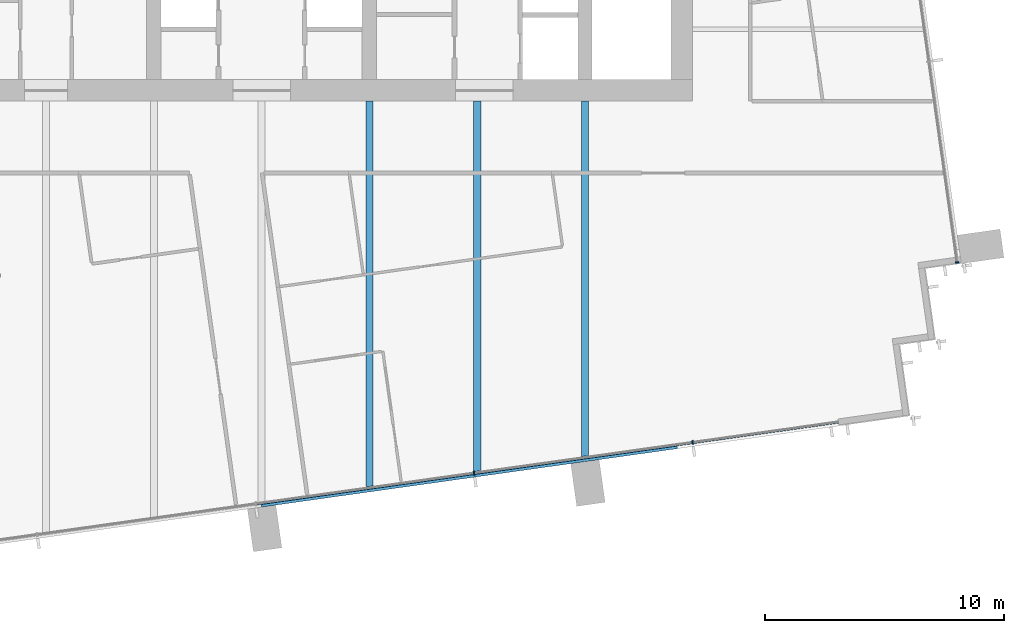
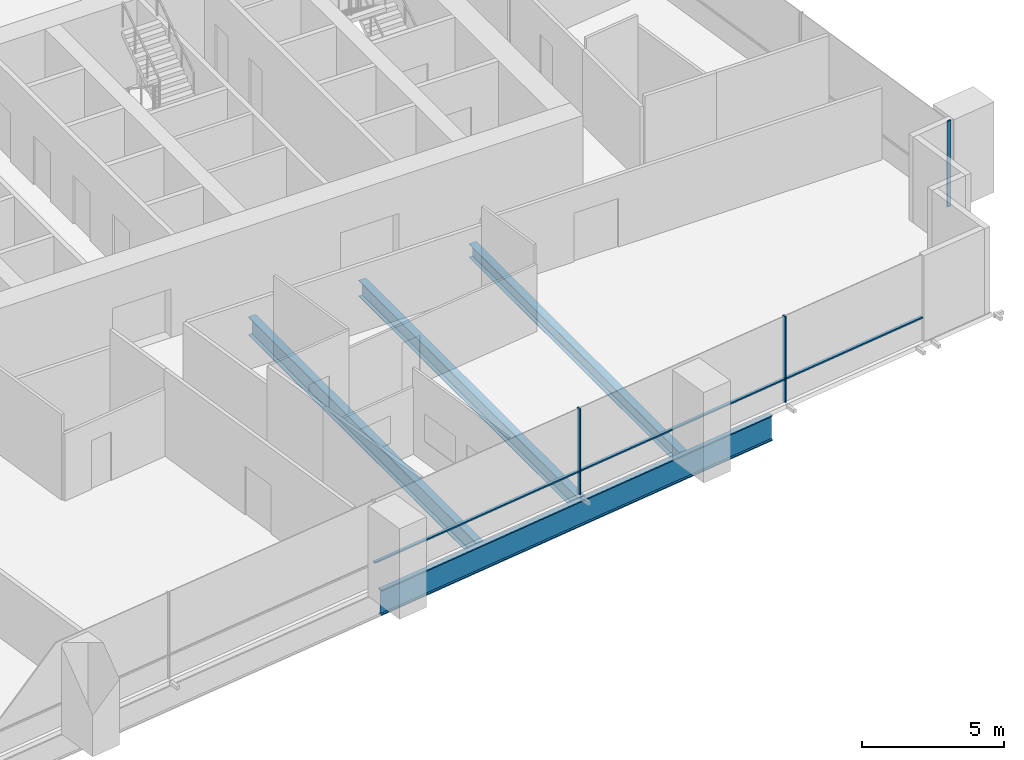
# One storey, part 4 of 14: 6 members, 4 beams, 2 elements without a shape of their own.
"""IFC4 building model written with IfcOpenShell, lengths in metres."""

from ifc_helpers import new_model, si_unit, direction, frame, origin, origin_2d, place, context, subcontext, project, spatial, rectangle, i_section, extrude, material, material_profile, profile_set, type_object, element, aggregate, save


model = new_model("IFC4")

# Units and contexts
model_context = context("Model", 3, precision=1e-05, world=origin(), true_north=direction((0.0, 1.0)))
body_context = subcontext(model_context, "Body", "Model", "MODEL_VIEW")
ifc_project = project(units=[si_unit("LENGTHUNIT", "METRE"), si_unit("AREAUNIT", "SQUARE_METRE"), si_unit("VOLUMEUNIT", "CUBIC_METRE"), si_unit("PLANEANGLEUNIT", "RADIAN"), si_unit("MASSUNIT", "GRAM", prefix="KILO")], contexts=[model_context])

# Site, building, storey
site_placement = place(None, origin())
site = spatial("IfcSite", under=ifc_project, at=site_placement, CompositionType="ELEMENT")
building_placement = place(site_placement, origin())
building = spatial("IfcBuilding", under=site, at=building_placement, Name="Rattan Terrace Tower", CompositionType="ELEMENT")
storey_placement = place(building_placement, frame((0.0, 0.0, 172.39990234375)))
storey = spatial("IfcBuildingStorey", under=building, at=storey_placement, Name="L39", CompositionType="ELEMENT", Elevation=172.39990234375)

# Curtain wall, member
ifc_material_1 = material(Name="Aluminium and glass", Category="aluminium")
curtain_wall_type = type_object("IfcCurtainWallType", Name="Facade Unitised Curtain Wall", PredefinedType="NOTDEFINED", material=ifc_material_1)
curtain_wall_1_placement = place(storey_placement, origin())
curtain_wall_1 = element("IfcCurtainWall", 1, at=curtain_wall_1_placement, inside=storey, type_object=curtain_wall_type, Name="Curtain wall L39-1", PredefinedType="NOTDEFINED")
ifc_material_2 = material(Name="Aluminium", Category="aluminium")
ifc_material_profile_1 = material_profile(ifc_material_2, rectangle(XDim=0.06005859375, YDim=0.159912109375, at=origin_2d()), Name="Aluminium 60x160")
ifc_profile_set_1 = profile_set([ifc_material_profile_1], Name="Aluminium")
member_type_1 = type_object("IfcMemberType", Name="Facade CW Mullion 60x160", PredefinedType="MULLION", material=ifc_profile_set_1)
member_1_placement = place(storey_placement, frame((29.037109375, -14.2333984375, 0.0), z_axis=(0.0, 0.0, 1.0), x_axis=(-0.139190856006, 0.99026557327, 0.0)))
member_1 = element("IfcMember", 2, at=member_1_placement, type_object=member_type_1, Name="Mullion cwl-L39-001.1", PredefinedType="MULLION", context=body_context, shape_type="SweptSolid", body=[
    extrude(rectangle(XDim=0.06005859375, YDim=0.159912109375, at=origin_2d()), origin(), (0.0, 0.0, 1.0), 3.7001953125),
])
aggregate(curtain_wall_1, [member_1])

# Curtain wall, members
curtain_wall_2_placement = place(storey_placement, origin())
curtain_wall_2 = element("IfcCurtainWall", 3, at=curtain_wall_2_placement, inside=storey, type_object=curtain_wall_type, Name="Curtain wall L39-4", PredefinedType="NOTDEFINED")
member_2_placement = place(storey_placement, frame((8.873291015625, -23.0302734375, 0.0), z_axis=(0.0, 0.0, 1.0), x_axis=(0.990269702686, 0.139161474347, 0.0)))
member_2 = element("IfcMember", 4, at=member_2_placement, type_object=member_type_1, Name="Mullion cwl-L39-004.4", PredefinedType="MULLION", context=body_context, shape_type="SweptSolid", body=[
    extrude(rectangle(XDim=0.06005859375, YDim=0.159912109375, at=origin_2d()), origin(), (0.0, 0.0, 1.0), 3.7001953125),
])
member_3_placement = place(storey_placement, frame((17.996826171875, -21.748291015625, 0.0), z_axis=(0.0, 0.0, 1.0), x_axis=(0.990269702686, 0.139161474347, 0.0)))
member_3 = element("IfcMember", 5, at=member_3_placement, type_object=member_type_1, Name="Mullion cwl-L39-004.5", PredefinedType="MULLION", context=body_context, shape_type="SweptSolid", body=[
    extrude(rectangle(XDim=0.06005859375, YDim=0.159912109375, at=origin_2d()), origin(), (0.0, 0.0, 1.0), 3.7001953125),
])
ifc_material_3 = material(Name="Aluminium", Category="aluminium")
ifc_material_profile_2 = material_profile(ifc_material_3, rectangle(XDim=0.1201171875, YDim=0.06005859375, at=origin_2d()), Name="Aluminium 120x60")
ifc_profile_set_2 = profile_set([ifc_material_profile_2], Name="Aluminium")
member_type_2 = type_object("IfcMemberType", Name="Facade CW Transom 120x60", PredefinedType="USERDEFINED", material=ifc_profile_set_2)
member_4_placement = place(storey_placement, frame((-0.22021484375, -24.308349609375, 1.0), z_axis=(0.990267035849, 0.139180450171, 0.0), x_axis=(-0.139180450171, 0.990267035849, 0.0)))
member_4 = element("IfcMember", 6, at=member_4_placement, type_object=member_type_2, Name="Transom cwl-L39-004.3", ObjectType="TRANSOM", PredefinedType="USERDEFINED", context=body_context, shape_type="SweptSolid", body=[
    extrude(rectangle(XDim=0.1201171875, YDim=0.06005859375, at=origin_2d()), origin(), (0.0, 0.0, 1.0), 9.153076171875),
])
member_5_placement = place(storey_placement, frame((8.903076171875, -23.026123046875, 1.0), z_axis=(0.990270711765, 0.139154293575, 0.0), x_axis=(-0.139154293575, 0.990270711765, 0.0)))
member_5 = element("IfcMember", 7, at=member_5_placement, type_object=member_type_2, Name="Transom cwl-L39-004.4", ObjectType="TRANSOM", PredefinedType="USERDEFINED", context=body_context, shape_type="SweptSolid", body=[
    extrude(rectangle(XDim=0.1201171875, YDim=0.06005859375, at=origin_2d()), origin(), (0.0, 0.0, 1.0), 9.153076171875),
])
member_6_placement = place(storey_placement, frame((18.0263671875, -21.744140625, 1.0), z_axis=(0.990267752185, 0.139175353357, 0.0), x_axis=(-0.139175353357, 0.990267752185, 0.0)))
member_6 = element("IfcMember", 8, at=member_6_placement, type_object=member_type_2, Name="Transom cwl-L39-004.5", ObjectType="TRANSOM", PredefinedType="USERDEFINED", context=body_context, shape_type="SweptSolid", body=[
    extrude(rectangle(XDim=0.1201171875, YDim=0.06005859375, at=origin_2d()), origin(), (0.0, 0.0, 1.0), 6.11865234375),
])
aggregate(curtain_wall_2, [member_2, member_3, member_4, member_5, member_6])

# Beams
ifc_material_4 = material(Name="Steel S460", Category="steel")
ifc_material_profile_3 = material_profile(ifc_material_4, i_section(OverallWidth=0.179931640625, OverallDepth=1.10009765625, WebThickness=0.01611328125, FlangeThickness=0.050048828125, at=origin_2d()), Name="PG 1100x180-16-50")
ifc_profile_set_3 = profile_set([ifc_material_profile_3], Name="Steel S460")
beam_type_1 = type_object("IfcBeamType", Name="Frame edge girder PG 1100x180-16-50", PredefinedType="SPANDREL", material=ifc_profile_set_3)
beam_1_placement = place(storey_placement, frame((17.347900390625, -21.9208984375, -0.75), z_axis=(-0.990273554652, -0.139134061096, 0.0), x_axis=(0.139134061096, -0.990273554652, 0.0)))
element("IfcBeam", 9, at=beam_1_placement, inside=storey, type_object=beam_type_1, Name="gdr-L39-002", PredefinedType="SPANDREL", context=body_context, shape_type="SweptSolid", body=[
    extrude(i_section(OverallWidth=0.179931640625, OverallDepth=1.10009765625, WebThickness=0.01611328125, FlangeThickness=0.050048828125, at=origin_2d()), origin(), (0.0, 0.0, 1.0), 17.53125),
])
ifc_material_5 = material(Name="Steel S355", Category="steel")
ifc_material_profile_4 = material_profile(ifc_material_5, i_section(OverallWidth=0.300048828125, OverallDepth=0.60009765625, WebThickness=0.015380859375, FlangeThickness=0.030029296875, FilletRadius=0.027099609375, at=origin_2d()), Name="HE 600 B")
ifc_profile_set_4 = profile_set([ifc_material_profile_4], Name="Steel S355")
beam_type_2 = type_object("IfcBeamType", Name="Frame floor beam HE 600 B", PredefinedType="JOIST", material=ifc_profile_set_4)
beam_2_placement = place(storey_placement, frame((13.5, -22.35009765625, -0.5), z_axis=(0.0, 1.0, 0.0), x_axis=(-1.0, 0.0, 0.0)))
element("IfcBeam", 10, at=beam_2_placement, inside=storey, type_object=beam_type_2, Name="bm-L39-009", PredefinedType="JOIST", context=body_context, shape_type="SweptSolid", body=[
    extrude(i_section(OverallWidth=0.300048828125, OverallDepth=0.60009765625, WebThickness=0.015380859375, FlangeThickness=0.030029296875, FilletRadius=0.027099609375, at=origin_2d()), origin(), (0.0, 0.0, 1.0), 14.85009765625),
])
ifc_material_6 = material(Name="Steel S355", Category="steel")
ifc_material_profile_5 = material_profile(ifc_material_6, i_section(OverallWidth=0.300048828125, OverallDepth=0.699951171875, WebThickness=0.01708984375, FlangeThickness=0.031982421875, FilletRadius=0.027099609375, at=origin_2d()), Name="HE 700 B")
ifc_profile_set_5 = profile_set([ifc_material_profile_5], Name="Steel S355")
beam_type_3 = type_object("IfcBeamType", Name="Frame floor beam HE 700 B", PredefinedType="JOIST", material=ifc_profile_set_5)
beam_3_placement = place(storey_placement, frame((9.0, -22.98193359375, -0.5498046875), z_axis=(0.0, 1.0, 0.0), x_axis=(-1.0, 0.0, 0.0)))
element("IfcBeam", 11, at=beam_3_placement, inside=storey, type_object=beam_type_3, Name="bm-L39-008", PredefinedType="JOIST", context=body_context, shape_type="SweptSolid", body=[
    extrude(i_section(OverallWidth=0.300048828125, OverallDepth=0.699951171875, WebThickness=0.01708984375, FlangeThickness=0.031982421875, FilletRadius=0.027099609375, at=origin_2d()), origin(), (0.0, 0.0, 1.0), 15.48193359375),
])
ifc_material_7 = material(Name="Steel S355", Category="steel")
ifc_material_profile_6 = material_profile(ifc_material_7, i_section(OverallWidth=0.300048828125, OverallDepth=0.800048828125, WebThickness=0.017578125, FlangeThickness=0.032958984375, FilletRadius=0.030029296875, at=origin_2d()), Name="HE 800 B")
ifc_profile_set_6 = profile_set([ifc_material_profile_6], Name="Steel S355")
beam_type_4 = type_object("IfcBeamType", Name="Frame floor beam HE 800 B", PredefinedType="JOIST", material=ifc_profile_set_6)
beam_4_placement = place(storey_placement, frame((4.5, -23.614013671875, -0.599853515625), z_axis=(0.0, 1.0, 0.0), x_axis=(-1.0, 0.0, 0.0)))
element("IfcBeam", 12, at=beam_4_placement, inside=storey, type_object=beam_type_4, Name="bm-L39-007", PredefinedType="JOIST", context=body_context, shape_type="SweptSolid", body=[
    extrude(i_section(OverallWidth=0.300048828125, OverallDepth=0.800048828125, WebThickness=0.017578125, FlangeThickness=0.032958984375, FilletRadius=0.030029296875, at=origin_2d()), origin(), (0.0, 0.0, 1.0), 16.114013671875),
])

save(model, "model.ifc")
